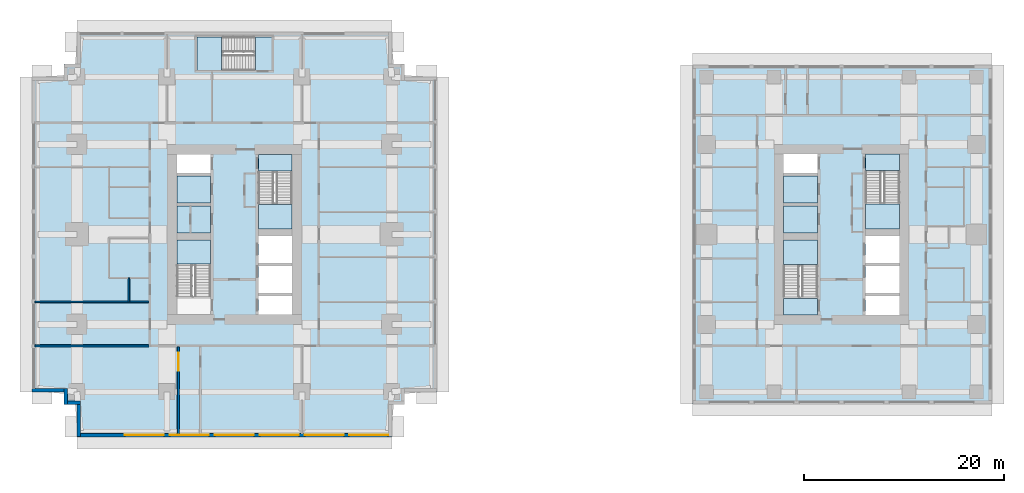
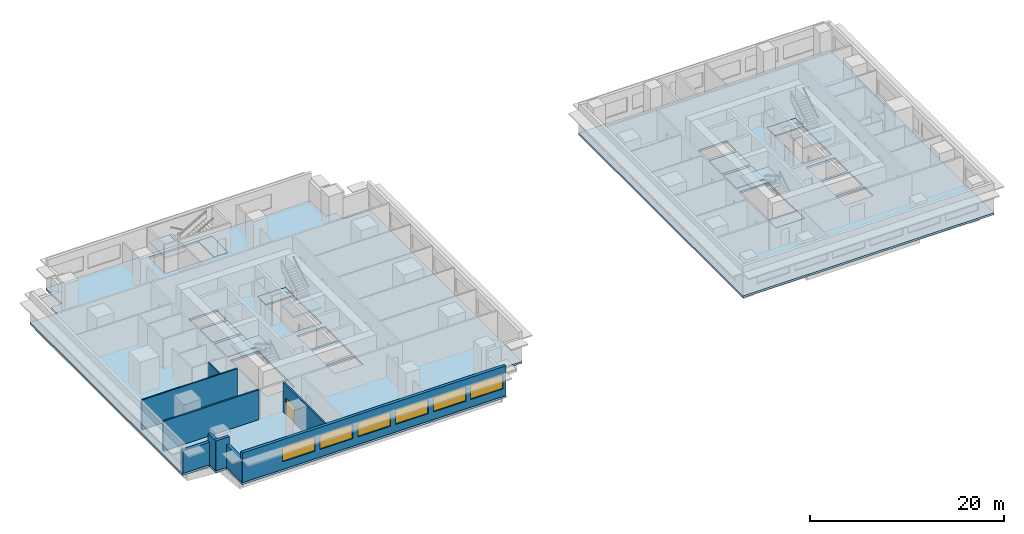
# One storey, part 2 of 11: 15 slabs, 9 walls, 6 windows, 1 door, 7 openings, 5 elements without a shape of their own.
"""IFC4 building model written with IfcOpenShell, lengths in metres."""

from ifc_helpers import new_model, si_unit, direction, frame, frame_2d, origin, place, context, subcontext, project, spatial, polyline, rectangle, outline, extrude, material, layer, layer_set, type_object, element, fill, aggregate, save


model = new_model("IFC4")

# Units and contexts
model_context = context("Model", 3, precision=1e-05, world=origin(), true_north=direction((0.0, 1.0)))
body_context = subcontext(model_context, "Body", "Model", "MODEL_VIEW")
ifc_project = project(units=[si_unit("LENGTHUNIT", "METRE"), si_unit("AREAUNIT", "SQUARE_METRE"), si_unit("VOLUMEUNIT", "CUBIC_METRE"), si_unit("PLANEANGLEUNIT", "RADIAN"), si_unit("MASSUNIT", "GRAM", prefix="KILO")], contexts=[model_context])

# Site, building, storey
site_placement = place(None, origin())
site = spatial("IfcSite", under=ifc_project, at=site_placement, CompositionType="ELEMENT")
building_placement = place(site_placement, origin())
building = spatial("IfcBuilding", under=site, at=building_placement, Name="Namib Vertical Campus", CompositionType="ELEMENT")
storey_placement = place(building_placement, frame((0.0, 0.0, 181.0)))
storey = spatial("IfcBuildingStorey", under=building, at=storey_placement, Name="L42", CompositionType="ELEMENT", Elevation=181.0)

# Slabs
ifc_material_1 = material(Name="Concrete C40/50", Category="concrete")
ifc_layer_1 = layer(ifc_material_1, 0.25)
ifc_layer_set_1 = layer_set([ifc_layer_1], Name="Concrete C40/50")
slab_type_1 = type_object("IfcSlabType", Name="Floor slab 250", PredefinedType="FLOOR", material=ifc_layer_set_1)
slab_1_placement = place(storey_placement, frame((0.0, 0.0, -0.25)))
element("IfcSlab", 1, at=slab_1_placement, inside=storey, type_object=slab_type_1, Name="Floor slab A L42", PredefinedType="FLOOR", context=body_context, shape_type="SweptSolid", body=[
    extrude(outline(polyline([(4.5, 0.0), (36.0, 0.0), (36.0, 3.22509765625), (37.27490234375, 3.22509765625), (37.27490234375, 4.5), (40.5, 4.5), (40.5, 36.0), (37.27490234375, 36.0), (37.27490234375, 37.27490234375), (36.0, 37.27490234375), (36.0, 40.5), (4.5, 40.5), (4.5, 37.27490234375), (3.22509765625, 37.27490234375), (3.22509765625, 36.0), (0.0, 36.0), (0.0, 4.5), (3.22509765625, 4.5), (3.22509765625, 3.22509765625), (4.5, 3.22509765625), (4.5, 0.0)]), holes=[polyline([(14.5, 12.25), (17.85009765625, 12.25), (17.85009765625, 19.699951171875), (14.5, 19.699951171875), (14.5, 12.25)]), polyline([(22.64990234375, 20.800048828125), (26.0, 20.800048828125), (26.0, 28.25), (22.64990234375, 28.25), (22.64990234375, 20.800048828125)]), polyline([(22.64990234375, 12.25), (26.0, 12.25), (26.0, 14.10009765625), (22.64990234375, 14.10009765625), (22.64990234375, 12.25)]), polyline([(14.5, 20.39990234375), (17.85009765625, 20.39990234375), (17.85009765625, 23.10009765625), (14.5, 23.10009765625), (14.5, 20.39990234375)]), polyline([(14.5, 23.39990234375), (17.85009765625, 23.39990234375), (17.85009765625, 26.10009765625), (14.5, 26.10009765625), (14.5, 23.39990234375)]), polyline([(14.5, 26.39990234375), (17.85009765625, 26.39990234375), (17.85009765625, 28.25), (14.5, 28.25), (14.5, 26.39990234375)]), polyline([(22.64990234375, 14.39990234375), (26.0, 14.39990234375), (26.0, 17.10009765625), (22.64990234375, 17.10009765625), (22.64990234375, 14.39990234375)]), polyline([(22.64990234375, 17.39990234375), (26.0, 17.39990234375), (26.0, 20.10009765625), (22.64990234375, 20.10009765625), (22.64990234375, 17.39990234375)]), polyline([(16.5, 36.64990234375), (24.0, 36.64990234375), (24.0, 40.0), (16.5, 40.0), (16.5, 36.64990234375)])]), origin(), (0.0, 0.0, 1.0), 0.25),
])
slab_2_placement = place(storey_placement, frame((0.0, 0.0, -0.25)))
element("IfcSlab", 2, at=slab_2_placement, inside=storey, type_object=slab_type_1, Name="Floor slab B L42", PredefinedType="FLOOR", context=body_context, shape_type="SweptSolid", body=[
    extrude(outline(polyline([(66.10009765625, 3.300048828125), (96.050048828125, 3.300048828125), (96.050048828125, 37.199951171875), (66.10009765625, 37.199951171875), (66.10009765625, 3.300048828125)]), holes=[polyline([(75.199951171875, 12.199951171875), (78.60009765625, 12.199951171875), (78.60009765625, 19.699951171875), (75.199951171875, 19.699951171875), (75.199951171875, 12.199951171875)]), polyline([(83.39990234375, 20.800048828125), (86.800048828125, 20.800048828125), (86.800048828125, 28.300048828125), (83.39990234375, 28.300048828125), (83.39990234375, 20.800048828125)]), polyline([(83.39990234375, 12.199951171875), (86.800048828125, 12.199951171875), (86.800048828125, 14.10009765625), (83.39990234375, 14.10009765625), (83.39990234375, 12.199951171875)]), polyline([(75.199951171875, 20.39990234375), (78.60009765625, 20.39990234375), (78.60009765625, 23.10009765625), (75.199951171875, 23.10009765625), (75.199951171875, 20.39990234375)]), polyline([(75.199951171875, 23.39990234375), (78.60009765625, 23.39990234375), (78.60009765625, 26.10009765625), (75.199951171875, 26.10009765625), (75.199951171875, 23.39990234375)]), polyline([(75.199951171875, 26.39990234375), (78.60009765625, 26.39990234375), (78.60009765625, 28.300048828125), (75.199951171875, 28.300048828125), (75.199951171875, 26.39990234375)]), polyline([(83.39990234375, 14.39990234375), (86.800048828125, 14.39990234375), (86.800048828125, 17.10009765625), (83.39990234375, 17.10009765625), (83.39990234375, 14.39990234375)]), polyline([(83.39990234375, 17.39990234375), (86.800048828125, 17.39990234375), (86.800048828125, 20.10009765625), (83.39990234375, 20.10009765625), (83.39990234375, 17.39990234375)])]), origin(), (0.0, 0.0, 1.0), 0.25),
])
ifc_material_2 = material(Name="Concrete C40/50 precast", Category="concrete")
ifc_layer_2 = layer(ifc_material_2, 0.25)
ifc_layer_set_2 = layer_set([ifc_layer_2], Name="Concrete C40/50 precast")
slab_type_2 = type_object("IfcSlabType", Name="Shaft infill floor 250", PredefinedType="FLOOR", material=ifc_layer_set_2)
slab_3_placement = place(storey_placement, frame((0.0, 0.0, -0.25)))
element("IfcSlab", 3, at=slab_3_placement, inside=storey, type_object=slab_type_2, Name="Shaft infill floor A L42 P1", PredefinedType="FLOOR", context=body_context, shape_type="SweptSolid", body=[
    extrude(outline(polyline([(14.5, 20.39990234375), (17.85009765625, 20.39990234375), (17.85009765625, 23.10009765625), (14.5, 23.10009765625), (14.5, 20.39990234375)])), origin(), (0.0, 0.0, 1.0), 0.25),
])
slab_4_placement = place(storey_placement, frame((0.0, 0.0, -0.25)))
element("IfcSlab", 4, at=slab_4_placement, inside=storey, type_object=slab_type_2, Name="Shaft infill floor A L42 P2", PredefinedType="FLOOR", context=body_context, shape_type="SweptSolid", body=[
    extrude(outline(polyline([(14.5, 23.39990234375), (17.85009765625, 23.39990234375), (17.85009765625, 26.10009765625), (14.5, 26.10009765625), (14.5, 23.39990234375)])), origin(), (0.0, 0.0, 1.0), 0.25),
])
slab_5_placement = place(storey_placement, frame((0.0, 0.0, -0.25)))
element("IfcSlab", 5, at=slab_5_placement, inside=storey, type_object=slab_type_2, Name="Shaft infill floor B L42 P1", PredefinedType="FLOOR", context=body_context, shape_type="SweptSolid", body=[
    extrude(outline(polyline([(75.199951171875, 20.39990234375), (78.60009765625, 20.39990234375), (78.60009765625, 23.10009765625), (75.199951171875, 23.10009765625), (75.199951171875, 20.39990234375)])), origin(), (0.0, 0.0, 1.0), 0.25),
])
slab_6_placement = place(storey_placement, frame((0.0, 0.0, -0.25)))
element("IfcSlab", 6, at=slab_6_placement, inside=storey, type_object=slab_type_2, Name="Shaft infill floor B L42 P2", PredefinedType="FLOOR", context=body_context, shape_type="SweptSolid", body=[
    extrude(outline(polyline([(75.199951171875, 23.39990234375), (78.60009765625, 23.39990234375), (78.60009765625, 26.10009765625), (75.199951171875, 26.10009765625), (75.199951171875, 23.39990234375)])), origin(), (0.0, 0.0, 1.0), 0.25),
])

# Stair, slab
ifc_material_3 = material(Name="Concrete C40/50 precast", Category="concrete")
stair_type_1 = type_object("IfcStairType", Name="Exit stair 4000 rise 24 risers 3350 wide", PredefinedType="HALF_TURN_STAIR", material=ifc_material_3)
stair_1_placement = place(storey_placement, origin())
stair_1 = element("IfcStair", 7, at=stair_1_placement, inside=storey, type_object=stair_type_1, Name="Exit stair A-S1 L42", PredefinedType="HALF_TURN_STAIR")
ifc_material_4 = material(Name="Concrete C40/50", Category="concrete")
ifc_layer_3 = layer(ifc_material_4, 0.199951171875)
ifc_layer_set_3 = layer_set([ifc_layer_3], Name="Concrete C40/50")
slab_type_3 = type_object("IfcSlabType", Name="Stair landing 200", PredefinedType="LANDING", material=ifc_layer_set_3)
slab_7_placement = place(storey_placement, frame((0.0, 0.0, 1.800048828125)))
slab_7 = element("IfcSlab", 8, at=slab_7_placement, type_object=slab_type_3, Name="A-S1 landing 2", PredefinedType="LANDING", context=body_context, shape_type="SweptSolid", body=[
    extrude(outline(polyline([(14.5, 17.276123046875), (17.85009765625, 17.276123046875), (17.85009765625, 19.699951171875), (14.5, 19.699951171875), (14.5, 17.276123046875)])), origin(), (0.0, 0.0, 1.0), 0.199951171875),
])
aggregate(stair_1, [slab_7])

# Stair, slabs
stair_2_placement = place(storey_placement, origin())
stair_2 = element("IfcStair", 9, at=stair_2_placement, inside=storey, type_object=stair_type_1, Name="Exit stair A-S2 L42", PredefinedType="HALF_TURN_STAIR")
slab_8_placement = place(storey_placement, frame((0.0, 0.0, -0.199951171875)))
slab_8 = element("IfcSlab", 10, at=slab_8_placement, type_object=slab_type_3, Name="A-S2 landing 1", PredefinedType="LANDING", context=body_context, shape_type="SweptSolid", body=[
    extrude(outline(polyline([(22.64990234375, 26.59619140625), (26.0, 26.59619140625), (26.0, 28.25), (22.64990234375, 28.25), (22.64990234375, 26.59619140625)])), origin(), (0.0, 0.0, 1.0), 0.199951171875),
])
slab_9_placement = place(storey_placement, frame((0.0, 0.0, 1.800048828125)))
slab_9 = element("IfcSlab", 11, at=slab_9_placement, type_object=slab_type_3, Name="A-S2 landing 2", PredefinedType="LANDING", context=body_context, shape_type="SweptSolid", body=[
    extrude(outline(polyline([(22.64990234375, 20.800048828125), (26.0, 20.800048828125), (26.0, 23.223876953125), (22.64990234375, 23.223876953125), (22.64990234375, 20.800048828125)])), origin(), (0.0, 0.0, 1.0), 0.199951171875),
])
aggregate(stair_2, [slab_8, slab_9])

ifc_material_5 = material(Name="Concrete C40/50 precast", Category="concrete")
stair_type_2 = type_object("IfcStairType", Name="Exit stair 4000 rise 24 risers 3400 wide", PredefinedType="HALF_TURN_STAIR", material=ifc_material_5)
stair_3_placement = place(storey_placement, origin())
stair_3 = element("IfcStair", 12, at=stair_3_placement, inside=storey, type_object=stair_type_2, Name="Exit stair B-S1 L42", PredefinedType="HALF_TURN_STAIR")
slab_10_placement = place(storey_placement, frame((0.0, 0.0, -0.199951171875)))
slab_10 = element("IfcSlab", 13, at=slab_10_placement, type_object=slab_type_3, Name="B-S1 landing 1", PredefinedType="LANDING", context=body_context, shape_type="SweptSolid", body=[
    extrude(outline(polyline([(75.199951171875, 12.199951171875), (78.60009765625, 12.199951171875), (78.60009765625, 13.85400390625), (75.199951171875, 13.85400390625), (75.199951171875, 12.199951171875)])), origin(), (0.0, 0.0, 1.0), 0.199951171875),
])
slab_11_placement = place(storey_placement, frame((0.0, 0.0, 1.800048828125)))
slab_11 = element("IfcSlab", 14, at=slab_11_placement, type_object=slab_type_3, Name="B-S1 landing 2", PredefinedType="LANDING", context=body_context, shape_type="SweptSolid", body=[
    extrude(outline(polyline([(75.199951171875, 17.22607421875), (78.60009765625, 17.22607421875), (78.60009765625, 19.699951171875), (75.199951171875, 19.699951171875), (75.199951171875, 17.22607421875)])), origin(), (0.0, 0.0, 1.0), 0.199951171875),
])
aggregate(stair_3, [slab_10, slab_11])

stair_4_placement = place(storey_placement, origin())
stair_4 = element("IfcStair", 15, at=stair_4_placement, inside=storey, type_object=stair_type_2, Name="Exit stair B-S2 L42", PredefinedType="HALF_TURN_STAIR")
slab_12_placement = place(storey_placement, frame((0.0, 0.0, -0.199951171875)))
slab_12 = element("IfcSlab", 16, at=slab_12_placement, type_object=slab_type_3, Name="B-S2 landing 1", PredefinedType="LANDING", context=body_context, shape_type="SweptSolid", body=[
    extrude(outline(polyline([(83.39990234375, 26.64599609375), (86.800048828125, 26.64599609375), (86.800048828125, 28.300048828125), (83.39990234375, 28.300048828125), (83.39990234375, 26.64599609375)])), origin(), (0.0, 0.0, 1.0), 0.199951171875),
])
slab_13_placement = place(storey_placement, frame((0.0, 0.0, 1.800048828125)))
slab_13 = element("IfcSlab", 17, at=slab_13_placement, type_object=slab_type_3, Name="B-S2 landing 2", PredefinedType="LANDING", context=body_context, shape_type="SweptSolid", body=[
    extrude(outline(polyline([(83.39990234375, 20.800048828125), (86.800048828125, 20.800048828125), (86.800048828125, 23.27392578125), (83.39990234375, 23.27392578125), (83.39990234375, 20.800048828125)])), origin(), (0.0, 0.0, 1.0), 0.199951171875),
])
aggregate(stair_4, [slab_12, slab_13])

stair_5_placement = place(storey_placement, origin())
stair_5 = element("IfcStair", 18, at=stair_5_placement, inside=storey, type_object=stair_type_1, Name="Exit stair A-S3 L42", PredefinedType="HALF_TURN_STAIR")
slab_14_placement = place(storey_placement, frame((0.0, 0.0, -0.199951171875)))
slab_14 = element("IfcSlab", 19, at=slab_14_placement, type_object=slab_type_3, Name="A-S3 landing 1", PredefinedType="LANDING", context=body_context, shape_type="SweptSolid", body=[
    extrude(outline(polyline([(22.34619140625, 36.64990234375), (22.34619140625, 40.0), (24.0, 40.0), (24.0, 36.64990234375), (22.34619140625, 36.64990234375)])), origin(), (0.0, 0.0, 1.0), 0.199951171875),
])
slab_15_placement = place(storey_placement, frame((0.0, 0.0, 1.800048828125)))
slab_15 = element("IfcSlab", 20, at=slab_15_placement, type_object=slab_type_3, Name="A-S3 landing 2", PredefinedType="LANDING", context=body_context, shape_type="SweptSolid", body=[
    extrude(outline(polyline([(16.5, 36.64990234375), (16.5, 40.0), (18.973876953125, 40.0), (18.973876953125, 36.64990234375), (16.5, 36.64990234375)])), origin(), (0.0, 0.0, 1.0), 0.199951171875),
])
aggregate(stair_5, [slab_14, slab_15])

# Wall, opening, door
ifc_material_6 = material(Name="Concrete masonry", Category="masonry")
ifc_layer_4 = layer(ifc_material_6, 0.199951171875)
ifc_layer_set_4 = layer_set([ifc_layer_4], Name="Corridor wall 200")
wall_type_1 = type_object("IfcWallType", Name="Corridor wall 200", PredefinedType="SOLIDWALL", material=ifc_layer_set_4)
wall_1_placement = place(storey_placement, frame((14.64990234375, 0.300048828125, 0.0), z_axis=(0.0, 0.0, 1.0), x_axis=(0.0, 1.0, 0.0)))
wall_1 = element("IfcWall", 21, at=wall_1_placement, inside=storey, type_object=wall_type_1, Name="Corridor wall A L42 SPS1", PredefinedType="SOLIDWALL", context=body_context, shape_type="SweptSolid", body=[
    extrude(rectangle(XDim=8.699951171875, YDim=0.199951171875, at=frame_2d((4.35009765625, 0.0))), origin(), (0.0, 0.0, 1.0), 3.75),
])
opening_1_placement = place(wall_1_placement, frame((6.300048828125, 0.0, 0.0)))
opening_1 = element("IfcOpeningElement", 22, at=opening_1_placement, cuts=wall_1, Name="Opening CD2", PredefinedType="OPENING", context=body_context, shape_type="SweptSolid", body=[
    extrude(rectangle(XDim=1.800048828125, YDim=2.10009765625, at=frame_2d((0.89990234375, 1.050048828125))), frame((0.0, 0.10986328125, 0.0), z_axis=(0.0, -1.0, 0.0), x_axis=(1.0, 0.0, 0.0)), (0.0, 0.0, 1.0), 0.219970703125),
])
ifc_material_7 = material(Name="Timber fire door leaf", Category="wood")
door_type = type_object("IfcDoorType", Name="Corridor door double 1800x2100 20 min", OperationType="DOUBLE_DOOR_SINGLE_SWING", PredefinedType="DOOR", material=ifc_material_7)
door_placement = place(opening_1_placement, origin())
door = element("IfcDoor", 23, at=door_placement, inside=storey, type_object=door_type, Name="Door CD2 A42-01", OperationType="DOUBLE_DOOR_SINGLE_SWING", OverallHeight=2.10009765625, OverallWidth=1.800048828125, PredefinedType="DOOR", context=body_context, shape_type="SweptSolid", body=[
    extrude(rectangle(XDim=1.800048828125, YDim=2.10009765625, at=frame_2d((0.89990234375, 1.050048828125))), frame((0.0, 0.02490234375, 0.0), z_axis=(0.0, -1.0, 0.0), x_axis=(1.0, 0.0, 0.0)), (0.0, 0.0, 1.0), 0.050048828125),
])
fill(opening_1, door)

# Wall
wall_2_placement = place(storey_placement, frame((0.300048828125, 9.10009765625, 0.0), z_axis=(0.0, 0.0, 1.0), x_axis=(1.0, 0.0, 0.0)))
element("IfcWall", 24, at=wall_2_placement, inside=storey, type_object=wall_type_1, Name="Partition A L42 BSW", PredefinedType="SOLIDWALL", context=body_context, shape_type="SweptSolid", body=[
    extrude(rectangle(XDim=11.39990234375, YDim=0.199951171875, at=frame_2d((5.699951171875, 0.0))), origin(), (0.0, 0.0, 1.0), 3.75),
])

# Wall, openings, windows
ifc_material_8 = material(Name="Concrete C40/50", Category="concrete")
ifc_layer_5 = layer(ifc_material_8, 0.35009765625)
ifc_layer_set_5 = layer_set([ifc_layer_5], Name="Concrete C40/50")
wall_type_2 = type_object("IfcWallType", Name="External wall 350 bush-hammered concrete", PredefinedType="STANDARD", material=ifc_layer_set_5)
wall_3_placement = place(storey_placement, frame((4.52001953125, 0.175048828125, 0.0), z_axis=(0.0, 0.0, 1.0), x_axis=(1.0, 0.0, 0.0)))
wall_3 = element("IfcWall", 25, at=wall_3_placement, inside=storey, type_object=wall_type_2, Name="External wall L42 F01", PredefinedType="STANDARD", context=body_context, shape_type="SweptSolid", body=[
    extrude(rectangle(XDim=31.4599609375, YDim=0.35009765625, at=frame_2d((15.72998046875, 0.0))), origin(), (0.0, 0.0, 1.0), 3.75),
])
opening_2_placement = place(wall_3_placement, frame((4.780029296875, 0.0, 0.949951171875)))
opening_2 = element("IfcOpeningElement", 26, at=opening_2_placement, cuts=wall_3, Name="Opening W3", PredefinedType="OPENING", context=body_context, shape_type="SweptSolid", body=[
    extrude(rectangle(XDim=3.89990234375, YDim=1.800048828125, at=frame_2d((1.949951171875, 0.89990234375))), frame((0.0, 0.18505859375, 0.0), z_axis=(0.0, -1.0, 0.0), x_axis=(1.0, 0.0, 0.0)), (0.0, 0.0, 1.0), 0.3701171875),
])
opening_3_placement = place(wall_3_placement, frame((9.280029296875, 0.0, 0.949951171875)))
opening_3 = element("IfcOpeningElement", 27, at=opening_3_placement, cuts=wall_3, Name="Opening W3", PredefinedType="OPENING", context=body_context, shape_type="SweptSolid", body=[
    extrude(rectangle(XDim=3.89990234375, YDim=1.800048828125, at=frame_2d((1.949951171875, 0.89990234375))), frame((0.0, 0.18505859375, 0.0), z_axis=(0.0, -1.0, 0.0), x_axis=(1.0, 0.0, 0.0)), (0.0, 0.0, 1.0), 0.3701171875),
])
opening_4_placement = place(wall_3_placement, frame((13.780029296875, 0.0, 0.949951171875)))
opening_4 = element("IfcOpeningElement", 28, at=opening_4_placement, cuts=wall_3, Name="Opening W3", PredefinedType="OPENING", context=body_context, shape_type="SweptSolid", body=[
    extrude(rectangle(XDim=3.89990234375, YDim=1.800048828125, at=frame_2d((1.949951171875, 0.89990234375))), frame((0.0, 0.18505859375, 0.0), z_axis=(0.0, -1.0, 0.0), x_axis=(1.0, 0.0, 0.0)), (0.0, 0.0, 1.0), 0.3701171875),
])
opening_5_placement = place(wall_3_placement, frame((18.280029296875, 0.0, 0.949951171875)))
opening_5 = element("IfcOpeningElement", 29, at=opening_5_placement, cuts=wall_3, Name="Opening W3", PredefinedType="OPENING", context=body_context, shape_type="SweptSolid", body=[
    extrude(rectangle(XDim=3.89990234375, YDim=1.800048828125, at=frame_2d((1.949951171875, 0.89990234375))), frame((0.0, 0.18505859375, 0.0), z_axis=(0.0, -1.0, 0.0), x_axis=(1.0, 0.0, 0.0)), (0.0, 0.0, 1.0), 0.3701171875),
])
opening_6_placement = place(wall_3_placement, frame((22.780029296875, 0.0, 0.949951171875)))
opening_6 = element("IfcOpeningElement", 30, at=opening_6_placement, cuts=wall_3, Name="Opening W3", PredefinedType="OPENING", context=body_context, shape_type="SweptSolid", body=[
    extrude(rectangle(XDim=3.89990234375, YDim=1.800048828125, at=frame_2d((1.949951171875, 0.89990234375))), frame((0.0, 0.18505859375, 0.0), z_axis=(0.0, -1.0, 0.0), x_axis=(1.0, 0.0, 0.0)), (0.0, 0.0, 1.0), 0.3701171875),
])
opening_7_placement = place(wall_3_placement, frame((27.2099609375, 0.0, 0.949951171875)))
opening_7 = element("IfcOpeningElement", 31, at=opening_7_placement, cuts=wall_3, Name="Opening W3", PredefinedType="OPENING", context=body_context, shape_type="SweptSolid", body=[
    extrude(rectangle(XDim=3.89990234375, YDim=1.800048828125, at=frame_2d((1.949951171875, 0.89990234375))), frame((0.0, 0.18505859375, 0.0), z_axis=(0.0, -1.0, 0.0), x_axis=(1.0, 0.0, 0.0)), (0.0, 0.0, 1.0), 0.3701171875),
])
ifc_material_9 = material(Name="Dark tinted glass in black aluminium frame", Category="aluminium")
window_type = type_object("IfcWindowType", Name="Ribbon window 3900x1800", PartitioningType="SINGLE_PANEL", PredefinedType="WINDOW", material=ifc_material_9)
window_1_placement = place(opening_2_placement, origin())
window_1 = element("IfcWindow", 32, at=window_1_placement, inside=storey, type_object=window_type, Name="Window W3 L42 F01-2", OverallHeight=1.800048828125, OverallWidth=3.89990234375, PartitioningType="SINGLE_PANEL", PredefinedType="WINDOW", context=body_context, shape_type="SweptSolid", body=[
    extrude(rectangle(XDim=3.89990234375, YDim=1.800048828125, at=frame_2d((1.949951171875, 0.89990234375))), frame((0.0, 0.030029296875, 0.0), z_axis=(0.0, -1.0, 0.0), x_axis=(1.0, 0.0, 0.0)), (0.0, 0.0, 1.0), 0.06005859375),
])
fill(opening_2, window_1)
window_2_placement = place(opening_3_placement, origin())
window_2 = element("IfcWindow", 33, at=window_2_placement, inside=storey, type_object=window_type, Name="Window W3 L42 F01-3", OverallHeight=1.800048828125, OverallWidth=3.89990234375, PartitioningType="SINGLE_PANEL", PredefinedType="WINDOW", context=body_context, shape_type="SweptSolid", body=[
    extrude(rectangle(XDim=3.89990234375, YDim=1.800048828125, at=frame_2d((1.949951171875, 0.89990234375))), frame((0.0, 0.030029296875, 0.0), z_axis=(0.0, -1.0, 0.0), x_axis=(1.0, 0.0, 0.0)), (0.0, 0.0, 1.0), 0.06005859375),
])
fill(opening_3, window_2)
window_3_placement = place(opening_4_placement, origin())
window_3 = element("IfcWindow", 34, at=window_3_placement, inside=storey, type_object=window_type, Name="Window W3 L42 F01-4", OverallHeight=1.800048828125, OverallWidth=3.89990234375, PartitioningType="SINGLE_PANEL", PredefinedType="WINDOW", context=body_context, shape_type="SweptSolid", body=[
    extrude(rectangle(XDim=3.89990234375, YDim=1.800048828125, at=frame_2d((1.949951171875, 0.89990234375))), frame((0.0, 0.030029296875, 0.0), z_axis=(0.0, -1.0, 0.0), x_axis=(1.0, 0.0, 0.0)), (0.0, 0.0, 1.0), 0.06005859375),
])
fill(opening_4, window_3)
window_4_placement = place(opening_5_placement, origin())
window_4 = element("IfcWindow", 35, at=window_4_placement, inside=storey, type_object=window_type, Name="Window W3 L42 F01-5", OverallHeight=1.800048828125, OverallWidth=3.89990234375, PartitioningType="SINGLE_PANEL", PredefinedType="WINDOW", context=body_context, shape_type="SweptSolid", body=[
    extrude(rectangle(XDim=3.89990234375, YDim=1.800048828125, at=frame_2d((1.949951171875, 0.89990234375))), frame((0.0, 0.030029296875, 0.0), z_axis=(0.0, -1.0, 0.0), x_axis=(1.0, 0.0, 0.0)), (0.0, 0.0, 1.0), 0.06005859375),
])
fill(opening_5, window_4)
window_5_placement = place(opening_6_placement, origin())
window_5 = element("IfcWindow", 36, at=window_5_placement, inside=storey, type_object=window_type, Name="Window W3 L42 F01-6", OverallHeight=1.800048828125, OverallWidth=3.89990234375, PartitioningType="SINGLE_PANEL", PredefinedType="WINDOW", context=body_context, shape_type="SweptSolid", body=[
    extrude(rectangle(XDim=3.89990234375, YDim=1.800048828125, at=frame_2d((1.949951171875, 0.89990234375))), frame((0.0, 0.030029296875, 0.0), z_axis=(0.0, -1.0, 0.0), x_axis=(1.0, 0.0, 0.0)), (0.0, 0.0, 1.0), 0.06005859375),
])
fill(opening_6, window_5)
window_6_placement = place(opening_7_placement, origin())
window_6 = element("IfcWindow", 37, at=window_6_placement, inside=storey, type_object=window_type, Name="Window W3 L42 F01-7", OverallHeight=1.800048828125, OverallWidth=3.89990234375, PartitioningType="SINGLE_PANEL", PredefinedType="WINDOW", context=body_context, shape_type="SweptSolid", body=[
    extrude(rectangle(XDim=3.89990234375, YDim=1.800048828125, at=frame_2d((1.949951171875, 0.89990234375))), frame((0.0, 0.030029296875, 0.0), z_axis=(0.0, -1.0, 0.0), x_axis=(1.0, 0.0, 0.0)), (0.0, 0.0, 1.0), 0.06005859375),
])
fill(opening_7, window_6)

# Walls
wall_4_placement = place(storey_placement, frame((0.02001953125, 4.675048828125, 0.0), z_axis=(0.0, 0.0, 1.0), x_axis=(1.0, 0.0, 0.0)))
element("IfcWall", 38, at=wall_4_placement, inside=storey, type_object=wall_type_2, Name="External wall L42 F17", PredefinedType="STANDARD", context=body_context, shape_type="SweptSolid", body=[
    extrude(rectangle(XDim=3.534912109375, YDim=0.35009765625, at=frame_2d((1.767578125, 0.0))), origin(), (0.0, 0.0, 1.0), 2.85009765625),
])
for number, where, z_axis, x_axis, name in (
    (39, (3.39990234375, 4.830078125, 0.0), (0.0, 0.0, 1.0), (0.0, -1.0, 0.0), "External wall L42 F18"),
    (40, (3.2451171875, 3.39990234375, 0.0), (0.0, 0.0, 1.0), (1.0, 0.0, 0.0), "External wall L42 F19"),
):
    element("IfcWall", number, at=place(storey_placement, frame(where, z_axis=z_axis, x_axis=x_axis)), inside=storey, type_object=wall_type_2, Name=name, PredefinedType="STANDARD", context=body_context, shape_type="SweptSolid", body=[
        extrude(rectangle(XDim=1.5849609375, YDim=0.35009765625, at=frame_2d((0.79248046875, 0.0))), origin(), (0.0, 0.0, 1.0), 3.75),
    ])
wall_5_placement = place(storey_placement, frame((4.675048828125, 3.554931640625, 0.0), z_axis=(0.0, 0.0, 1.0), x_axis=(0.0, -1.0, 0.0)))
element("IfcWall", 41, at=wall_5_placement, inside=storey, type_object=wall_type_2, Name="External wall L42 F20", PredefinedType="STANDARD", context=body_context, shape_type="SweptSolid", body=[
    extrude(rectangle(XDim=3.534912109375, YDim=0.35009765625, at=frame_2d((1.767578125, 0.0))), origin(), (0.0, 0.0, 1.0), 2.85009765625),
])
ifc_material_10 = material(Name="Gypsum board on steel studs", Category="steel")
ifc_layer_6 = layer(ifc_material_10, 0.14990234375)
ifc_layer_set_6 = layer_set([ifc_layer_6], Name="Gypsum board on steel studs")
wall_type_3 = type_object("IfcWallType", Name="Partition 150", PredefinedType="PARTITIONING", material=ifc_layer_set_6)
wall_6_placement = place(storey_placement, frame((0.300048828125, 13.5, 0.0), z_axis=(0.0, 0.0, 1.0), x_axis=(1.0, 0.0, 0.0)))
element("IfcWall", 42, at=wall_6_placement, inside=storey, type_object=wall_type_3, Name="Partition A L42 PW1", PredefinedType="PARTITIONING", context=body_context, shape_type="SweptSolid", body=[
    extrude(rectangle(XDim=11.39990234375, YDim=0.14990234375, at=frame_2d((5.699951171875, 0.0))), origin(), (0.0, 0.0, 1.0), 3.75),
])
wall_7_placement = place(storey_placement, frame((9.699951171875, 13.5, 0.0), z_axis=(0.0, 0.0, 1.0), x_axis=(0.0, 1.0, 0.0)))
element("IfcWall", 43, at=wall_7_placement, inside=storey, type_object=wall_type_3, Name="Partition A L42 WB1", PredefinedType="PARTITIONING", context=body_context, shape_type="SweptSolid", body=[
    extrude(rectangle(XDim=2.39990234375, YDim=0.14990234375, at=frame_2d((1.199951171875, 0.0))), origin(), (0.0, 0.0, 1.0), 3.75),
])

save(model, "model.ifc")
